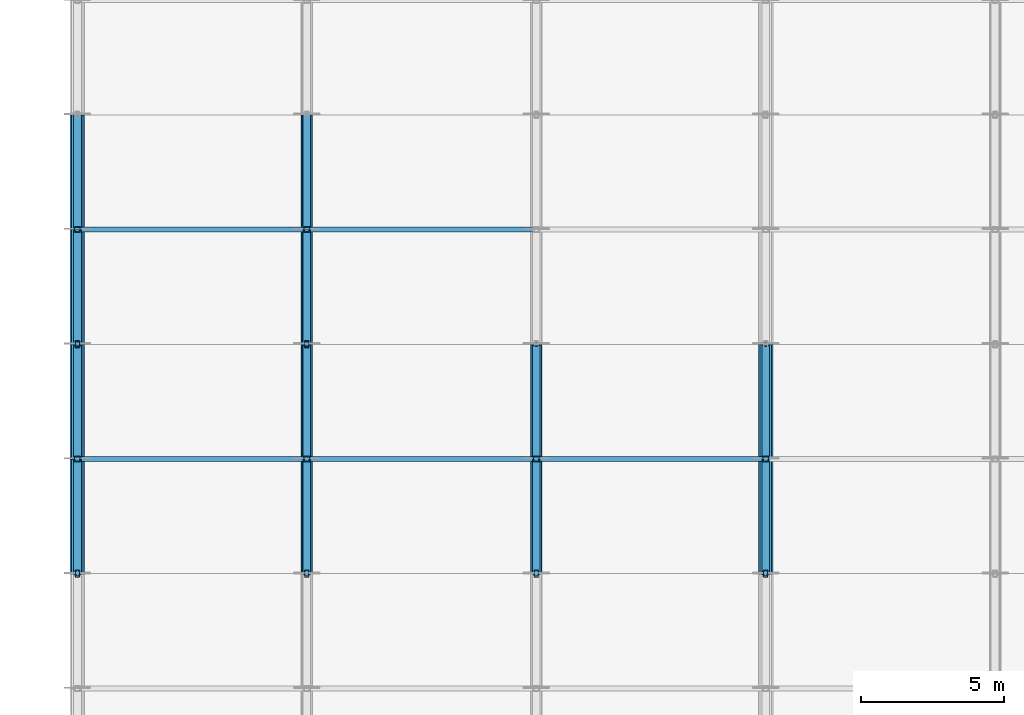
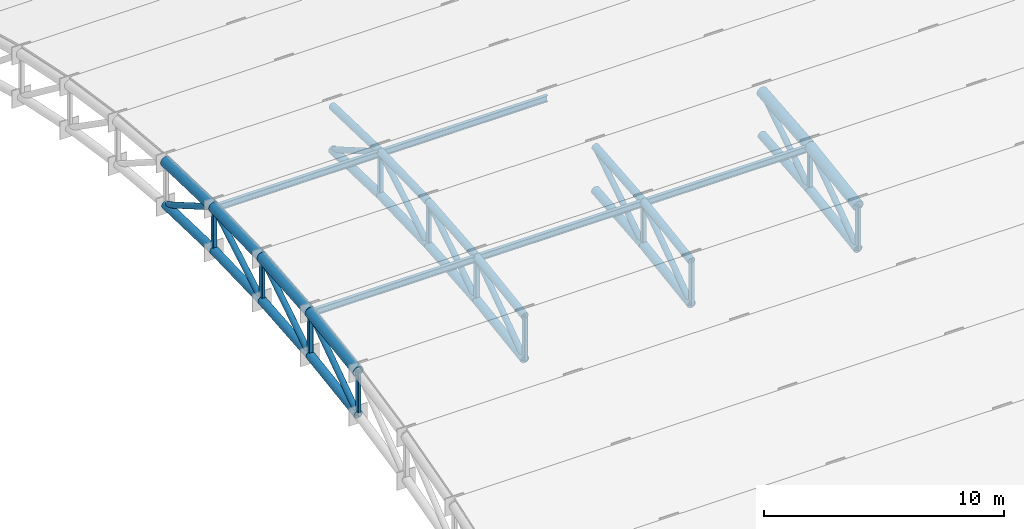
# One storey, part 9 of 98: 53 members.
"""IFC4 building model written with IfcOpenShell, lengths in metres."""

from ifc_helpers import new_model, si_unit, direction, frame, origin, origin_2d, place, context, subcontext, project, spatial, hollow_rectangle, hollow_circle, i_section, extrude, material, material_profile, profile_set, type_object, element, save


model = new_model("IFC4")

# Units and contexts
model_context = context("Model", 3, precision=1e-05, world=origin(), true_north=direction((0.0, 1.0)))
body_context = subcontext(model_context, "Body", "Model", "MODEL_VIEW")
ifc_project = project(units=[si_unit("LENGTHUNIT", "METRE"), si_unit("AREAUNIT", "SQUARE_METRE"), si_unit("VOLUMEUNIT", "CUBIC_METRE"), si_unit("PLANEANGLEUNIT", "RADIAN"), si_unit("MASSUNIT", "GRAM", prefix="KILO")], contexts=[model_context])

# Site, building, storey
site_placement = place(None, origin())
site = spatial("IfcSite", under=ifc_project, at=site_placement, CompositionType="ELEMENT")
building_placement = place(site_placement, origin())
building = spatial("IfcBuilding", under=site, at=building_placement, Name="Tlacozan Convention Centre", CompositionType="ELEMENT")
storey_placement = place(building_placement, frame((0.0, 0.0, 25.800048828125)))
storey = spatial("IfcBuildingStorey", under=building, at=storey_placement, Name="Roof", CompositionType="ELEMENT", Elevation=25.800048828125)

# Members
ifc_material_1 = material(Name="Steel ASTM A500 Grade C", Category="steel")
ifc_material_profile_1 = material_profile(ifc_material_1, hollow_circle(Radius=0.203125, WallThickness=0.015869140625, at=origin_2d()), Name="OC 406.4x15.9")
ifc_profile_set_1 = profile_set([ifc_material_profile_1], Name="Steel ASTM A500 Grade C")
member_type_1 = type_object("IfcMemberType", Name="Arch Bottom Chord OC 406.4x15.9", PredefinedType="CHORD", material=ifc_profile_set_1)
member_1_placement = place(storey_placement, frame((0.0, 82.0, -5.8671875), z_axis=(0.0, 0.98911804631, 0.147124064872), x_axis=(-1.0, 0.0, 0.0)))
element("IfcMember", 1, at=member_1_placement, inside=storey, type_object=member_type_1, Name="V2A Roof Truss 1 Bottom Chord 6", PredefinedType="CHORD", context=body_context, shape_type="SweptSolid", body=[
    extrude(hollow_circle(Radius=0.203125, WallThickness=0.015869140625, at=origin_2d()), origin(), (0.0, 0.0, 1.0), 4.0439453125),
])
member_2_placement = place(storey_placement, frame((0.0, 86.0, -5.272216796875), z_axis=(0.0, 0.996095959668, 0.088277058926), x_axis=(-1.0, 0.0, 0.0)))
element("IfcMember", 2, at=member_2_placement, inside=storey, type_object=member_type_1, Name="V2A Roof Truss 1 Bottom Chord 7", PredefinedType="CHORD", context=body_context, shape_type="SweptSolid", body=[
    extrude(hollow_circle(Radius=0.203125, WallThickness=0.015869140625, at=origin_2d()), origin(), (0.0, 0.0, 1.0), 4.015625),
])
for number, where, z_axis, x_axis, name in (
    (3, (0.0, 90.0, -4.917724609375), (0.0, 0.999567543518, 0.029406222899), (-1.0, 0.0, 0.0), "V2A Roof Truss 1 Bottom Chord 8"),
    (4, (0.0, 94.0, -4.800048828125), (0.0, 0.999567543518, -0.029406222899), (-1.0, 0.0, 0.0), "V2A Roof Truss 1 Bottom Chord 9"),
):
    element("IfcMember", number, at=place(storey_placement, frame(where, z_axis=z_axis, x_axis=x_axis)), inside=storey, type_object=member_type_1, Name=name, PredefinedType="CHORD", context=body_context, shape_type="SweptSolid", body=[
        extrude(hollow_circle(Radius=0.203125, WallThickness=0.015869140625, at=origin_2d()), origin(), (0.0, 0.0, 1.0), 4.001708984375),
    ])
member_3_placement = place(storey_placement, frame((8.0, 82.0, -5.8671875), z_axis=(0.0, 0.98911804631, 0.147124064872), x_axis=(-1.0, 0.0, 0.0)))
element("IfcMember", 5, at=member_3_placement, inside=storey, type_object=member_type_1, Name="V2A Roof Truss 2 Bottom Chord 6", PredefinedType="CHORD", context=body_context, shape_type="SweptSolid", body=[
    extrude(hollow_circle(Radius=0.203125, WallThickness=0.015869140625, at=origin_2d()), origin(), (0.0, 0.0, 1.0), 4.0439453125),
])
member_4_placement = place(storey_placement, frame((8.0, 86.0, -5.272216796875), z_axis=(0.0, 0.996095959668, 0.088277058926), x_axis=(-1.0, 0.0, 0.0)))
element("IfcMember", 6, at=member_4_placement, inside=storey, type_object=member_type_1, Name="V2A Roof Truss 2 Bottom Chord 7", PredefinedType="CHORD", context=body_context, shape_type="SweptSolid", body=[
    extrude(hollow_circle(Radius=0.203125, WallThickness=0.015869140625, at=origin_2d()), origin(), (0.0, 0.0, 1.0), 4.015625),
])
for number, where, z_axis, x_axis, name in (
    (7, (8.0, 90.0, -4.917724609375), (0.0, 0.999567543518, 0.029406222899), (-1.0, 0.0, 0.0), "V2A Roof Truss 2 Bottom Chord 8"),
    (8, (8.0, 94.0, -4.800048828125), (0.0, 0.999567543518, -0.029406222899), (-1.0, 0.0, 0.0), "V2A Roof Truss 2 Bottom Chord 9"),
):
    element("IfcMember", number, at=place(storey_placement, frame(where, z_axis=z_axis, x_axis=x_axis)), inside=storey, type_object=member_type_1, Name=name, PredefinedType="CHORD", context=body_context, shape_type="SweptSolid", body=[
        extrude(hollow_circle(Radius=0.203125, WallThickness=0.015869140625, at=origin_2d()), origin(), (0.0, 0.0, 1.0), 4.001708984375),
    ])
member_5_placement = place(storey_placement, frame((16.0, 82.0, -5.8671875), z_axis=(0.0, 0.98911804631, 0.147124064872), x_axis=(-1.0, 0.0, 0.0)))
element("IfcMember", 9, at=member_5_placement, inside=storey, type_object=member_type_1, Name="V2A Roof Truss 3 Bottom Chord 6", PredefinedType="CHORD", context=body_context, shape_type="SweptSolid", body=[
    extrude(hollow_circle(Radius=0.203125, WallThickness=0.015869140625, at=origin_2d()), origin(), (0.0, 0.0, 1.0), 4.0439453125),
])
member_6_placement = place(storey_placement, frame((16.0, 86.0, -5.272216796875), z_axis=(0.0, 0.996095959668, 0.088277058926), x_axis=(-1.0, 0.0, 0.0)))
element("IfcMember", 10, at=member_6_placement, inside=storey, type_object=member_type_1, Name="V2A Roof Truss 3 Bottom Chord 7", PredefinedType="CHORD", context=body_context, shape_type="SweptSolid", body=[
    extrude(hollow_circle(Radius=0.203125, WallThickness=0.015869140625, at=origin_2d()), origin(), (0.0, 0.0, 1.0), 4.015625),
])
member_7_placement = place(storey_placement, frame((24.0, 82.0, -5.8671875), z_axis=(0.0, 0.98911804631, 0.147124064872), x_axis=(-1.0, 0.0, 0.0)))
element("IfcMember", 11, at=member_7_placement, inside=storey, type_object=member_type_1, Name="V2A Roof Truss 4 Bottom Chord 6", PredefinedType="CHORD", context=body_context, shape_type="SweptSolid", body=[
    extrude(hollow_circle(Radius=0.203125, WallThickness=0.015869140625, at=origin_2d()), origin(), (0.0, 0.0, 1.0), 4.0439453125),
])
member_8_placement = place(storey_placement, frame((24.0, 86.0, -5.272216796875), z_axis=(0.0, 0.996095959668, 0.088277058926), x_axis=(-1.0, 0.0, 0.0)))
element("IfcMember", 12, at=member_8_placement, inside=storey, type_object=member_type_1, Name="V2A Roof Truss 4 Bottom Chord 7", PredefinedType="CHORD", context=body_context, shape_type="SweptSolid", body=[
    extrude(hollow_circle(Radius=0.203125, WallThickness=0.015869140625, at=origin_2d()), origin(), (0.0, 0.0, 1.0), 4.015625),
])
ifc_material_profile_2 = material_profile(ifc_material_1, hollow_circle(Radius=0.25390625, WallThickness=0.01904296875, at=origin_2d()), Name="OC 508.0x19.1")
ifc_profile_set_2 = profile_set([ifc_material_profile_2], Name="Steel ASTM A500 Grade C")
member_type_2 = type_object("IfcMemberType", Name="Arch Top Chord OC 508x19.1", PredefinedType="CHORD", material=ifc_profile_set_2)
member_9_placement = place(storey_placement, frame((0.0, 82.0, -3.667236328125), z_axis=(0.0, 0.98911804631, 0.147124064872), x_axis=(-1.0, 0.0, 0.0)))
element("IfcMember", 13, at=member_9_placement, inside=storey, type_object=member_type_2, Name="V2A Roof Truss 1 Top Chord 6", PredefinedType="CHORD", context=body_context, shape_type="SweptSolid", body=[
    extrude(hollow_circle(Radius=0.25390625, WallThickness=0.01904296875, at=origin_2d()), origin(), (0.0, 0.0, 1.0), 4.0439453125),
])
member_10_placement = place(storey_placement, frame((0.0, 86.0, -3.072265625), z_axis=(0.0, 0.996095959668, 0.088277058926), x_axis=(-1.0, 0.0, 0.0)))
element("IfcMember", 14, at=member_10_placement, inside=storey, type_object=member_type_2, Name="V2A Roof Truss 1 Top Chord 7", PredefinedType="CHORD", context=body_context, shape_type="SweptSolid", body=[
    extrude(hollow_circle(Radius=0.25390625, WallThickness=0.01904296875, at=origin_2d()), origin(), (0.0, 0.0, 1.0), 4.015625),
])
for number, where, z_axis, x_axis, name in (
    (15, (0.0, 90.0, -2.7177734375), (0.0, 0.999567543518, 0.029406222899), (-1.0, 0.0, 0.0), "V2A Roof Truss 1 Top Chord 8"),
    (16, (0.0, 94.0, -2.60009765625), (0.0, 0.999567543518, -0.029406222899), (-1.0, 0.0, 0.0), "V2A Roof Truss 1 Top Chord 9"),
):
    element("IfcMember", number, at=place(storey_placement, frame(where, z_axis=z_axis, x_axis=x_axis)), inside=storey, type_object=member_type_2, Name=name, PredefinedType="CHORD", context=body_context, shape_type="SweptSolid", body=[
        extrude(hollow_circle(Radius=0.25390625, WallThickness=0.01904296875, at=origin_2d()), origin(), (0.0, 0.0, 1.0), 4.001708984375),
    ])
member_11_placement = place(storey_placement, frame((24.0, 82.0, -3.667236328125), z_axis=(0.0, 0.98911804631, 0.147124064872), x_axis=(-1.0, 0.0, 0.0)))
element("IfcMember", 17, at=member_11_placement, inside=storey, type_object=member_type_2, Name="V2A Roof Truss 4 Top Chord 6", PredefinedType="CHORD", context=body_context, shape_type="SweptSolid", body=[
    extrude(hollow_circle(Radius=0.25390625, WallThickness=0.01904296875, at=origin_2d()), origin(), (0.0, 0.0, 1.0), 4.0439453125),
])
member_12_placement = place(storey_placement, frame((24.0, 86.0, -3.072265625), z_axis=(0.0, 0.996095959668, 0.088277058926), x_axis=(-1.0, 0.0, 0.0)))
element("IfcMember", 18, at=member_12_placement, inside=storey, type_object=member_type_2, Name="V2A Roof Truss 4 Top Chord 7", PredefinedType="CHORD", context=body_context, shape_type="SweptSolid", body=[
    extrude(hollow_circle(Radius=0.25390625, WallThickness=0.01904296875, at=origin_2d()), origin(), (0.0, 0.0, 1.0), 4.015625),
])
ifc_material_profile_3 = material_profile(ifc_material_1, hollow_circle(Radius=0.136474609375, WallThickness=0.0126953125, at=origin_2d()), Name="OC 273.1x12.7")
ifc_profile_set_3 = profile_set([ifc_material_profile_3], Name="Steel ASTM A500 Grade C")
member_type_3 = type_object("IfcMemberType", Name="Arch Web Diagonal OC 273.1x12.7", PredefinedType="BRACE", material=ifc_profile_set_3)
member_13_placement = place(storey_placement, frame((0.0, 82.0, -5.8671875), z_axis=(0.0, 0.819720523855, 0.572763705877), x_axis=(-1.0, 0.0, 0.0)))
element("IfcMember", 19, at=member_13_placement, inside=storey, type_object=member_type_3, Name="V2A Roof Truss 1 Web Diagonal 6", PredefinedType="BRACE", context=body_context, shape_type="SweptSolid", body=[
    extrude(hollow_circle(Radius=0.136474609375, WallThickness=0.0126953125, at=origin_2d()), origin(), (0.0, 0.0, 1.0), 4.879638671875),
])
member_14_placement = place(storey_placement, frame((0.0, 86.0, -5.272216796875), z_axis=(0.0, 0.842802563321, 0.538222852785), x_axis=(-1.0, 0.0, 0.0)))
element("IfcMember", 20, at=member_14_placement, inside=storey, type_object=member_type_3, Name="V2A Roof Truss 1 Web Diagonal 7", PredefinedType="BRACE", context=body_context, shape_type="SweptSolid", body=[
    extrude(hollow_circle(Radius=0.136474609375, WallThickness=0.0126953125, at=origin_2d()), origin(), (0.0, 0.0, 1.0), 4.74609375),
])
for number, where, z_axis, x_axis, name in (
    (21, (0.0, 90.0, -4.917724609375), (0.0, 0.865253886656, 0.501333932252), (-1.0, 0.0, 0.0), "V2A Roof Truss 1 Web Diagonal 8"),
    (22, (0.0, 94.0, -2.60009765625), (0.0, 0.865253886656, -0.501333932252), (-1.0, 0.0, 0.0), "V2A Roof Truss 1 Web Diagonal 9"),
):
    element("IfcMember", number, at=place(storey_placement, frame(where, z_axis=z_axis, x_axis=x_axis)), inside=storey, type_object=member_type_3, Name=name, PredefinedType="BRACE", context=body_context, shape_type="SweptSolid", body=[
        extrude(hollow_circle(Radius=0.136474609375, WallThickness=0.0126953125, at=origin_2d()), origin(), (0.0, 0.0, 1.0), 4.622802734375),
    ])
member_15_placement = place(storey_placement, frame((8.0, 82.0, -5.8671875), z_axis=(0.0, 0.819720523855, 0.572763705877), x_axis=(-1.0, 0.0, 0.0)))
element("IfcMember", 23, at=member_15_placement, inside=storey, type_object=member_type_3, Name="V2A Roof Truss 2 Web Diagonal 6", PredefinedType="BRACE", context=body_context, shape_type="SweptSolid", body=[
    extrude(hollow_circle(Radius=0.136474609375, WallThickness=0.0126953125, at=origin_2d()), origin(), (0.0, 0.0, 1.0), 4.879638671875),
])
member_16_placement = place(storey_placement, frame((8.0, 86.0, -5.272216796875), z_axis=(0.0, 0.842802563321, 0.538222852785), x_axis=(-1.0, 0.0, 0.0)))
element("IfcMember", 24, at=member_16_placement, inside=storey, type_object=member_type_3, Name="V2A Roof Truss 2 Web Diagonal 7", PredefinedType="BRACE", context=body_context, shape_type="SweptSolid", body=[
    extrude(hollow_circle(Radius=0.136474609375, WallThickness=0.0126953125, at=origin_2d()), origin(), (0.0, 0.0, 1.0), 4.74609375),
])
for number, where, z_axis, x_axis, name in (
    (25, (8.0, 90.0, -4.917724609375), (0.0, 0.865253886656, 0.501333932252), (-1.0, 0.0, 0.0), "V2A Roof Truss 2 Web Diagonal 8"),
    (26, (8.0, 94.0, -2.60009765625), (0.0, 0.865253886656, -0.501333932252), (-1.0, 0.0, 0.0), "V2A Roof Truss 2 Web Diagonal 9"),
):
    element("IfcMember", number, at=place(storey_placement, frame(where, z_axis=z_axis, x_axis=x_axis)), inside=storey, type_object=member_type_3, Name=name, PredefinedType="BRACE", context=body_context, shape_type="SweptSolid", body=[
        extrude(hollow_circle(Radius=0.136474609375, WallThickness=0.0126953125, at=origin_2d()), origin(), (0.0, 0.0, 1.0), 4.622802734375),
    ])
member_17_placement = place(storey_placement, frame((16.0, 82.0, -5.8671875), z_axis=(0.0, 0.819720523855, 0.572763705877), x_axis=(-1.0, 0.0, 0.0)))
element("IfcMember", 27, at=member_17_placement, inside=storey, type_object=member_type_3, Name="V2A Roof Truss 3 Web Diagonal 6", PredefinedType="BRACE", context=body_context, shape_type="SweptSolid", body=[
    extrude(hollow_circle(Radius=0.136474609375, WallThickness=0.0126953125, at=origin_2d()), origin(), (0.0, 0.0, 1.0), 4.879638671875),
])
member_18_placement = place(storey_placement, frame((16.0, 86.0, -5.272216796875), z_axis=(0.0, 0.842802563321, 0.538222852785), x_axis=(-1.0, 0.0, 0.0)))
element("IfcMember", 28, at=member_18_placement, inside=storey, type_object=member_type_3, Name="V2A Roof Truss 3 Web Diagonal 7", PredefinedType="BRACE", context=body_context, shape_type="SweptSolid", body=[
    extrude(hollow_circle(Radius=0.136474609375, WallThickness=0.0126953125, at=origin_2d()), origin(), (0.0, 0.0, 1.0), 4.74609375),
])
member_19_placement = place(storey_placement, frame((24.0, 82.0, -5.8671875), z_axis=(0.0, 0.819720523855, 0.572763705877), x_axis=(-1.0, 0.0, 0.0)))
element("IfcMember", 29, at=member_19_placement, inside=storey, type_object=member_type_3, Name="V2A Roof Truss 4 Web Diagonal 6", PredefinedType="BRACE", context=body_context, shape_type="SweptSolid", body=[
    extrude(hollow_circle(Radius=0.136474609375, WallThickness=0.0126953125, at=origin_2d()), origin(), (0.0, 0.0, 1.0), 4.879638671875),
])
member_20_placement = place(storey_placement, frame((24.0, 86.0, -5.272216796875), z_axis=(0.0, 0.842802563321, 0.538222852785), x_axis=(-1.0, 0.0, 0.0)))
element("IfcMember", 30, at=member_20_placement, inside=storey, type_object=member_type_3, Name="V2A Roof Truss 4 Web Diagonal 7", PredefinedType="BRACE", context=body_context, shape_type="SweptSolid", body=[
    extrude(hollow_circle(Radius=0.136474609375, WallThickness=0.0126953125, at=origin_2d()), origin(), (0.0, 0.0, 1.0), 4.74609375),
])
ifc_material_profile_4 = material_profile(ifc_material_1, hollow_rectangle(XDim=0.203125, YDim=0.203125, WallThickness=0.0126953125, InnerFilletRadius=0.0126953125, OuterFilletRadius=0.02490234375, at=origin_2d()), Name="OR 203x203x12.7")
ifc_profile_set_4 = profile_set([ifc_material_profile_4], Name="Steel ASTM A500 Grade C")
member_type_4 = type_object("IfcMemberType", Name="Arch Web Strut OR 203x203x12.7", PredefinedType="STRUT", material=ifc_profile_set_4)
for number, where, z_axis, x_axis, name in (
    (31, (0.0, 86.0, -5.272216796875), (0.0, 0.0, 1.0), (1.0, 0.0, 0.0), "V2A Roof Truss 1 Vertical Strut 7"),
    (32, (0.0, 94.0, -4.800048828125), (0.0, 0.0, 1.0), (1.0, 0.0, 0.0), "V2A Roof Truss 1 Vertical Strut 9"),
    (33, (8.0, 86.0, -5.272216796875), (0.0, 0.0, 1.0), (1.0, 0.0, 0.0), "V2A Roof Truss 2 Vertical Strut 7"),
    (34, (8.0, 94.0, -4.800048828125), (0.0, 0.0, 1.0), (1.0, 0.0, 0.0), "V2A Roof Truss 2 Vertical Strut 9"),
    (35, (16.0, 86.0, -5.272216796875), (0.0, 0.0, 1.0), (1.0, 0.0, 0.0), "V2A Roof Truss 3 Vertical Strut 7"),
    (36, (24.0, 86.0, -5.272216796875), (0.0, 0.0, 1.0), (1.0, 0.0, 0.0), "V2A Roof Truss 4 Vertical Strut 7"),
):
    element("IfcMember", number, at=place(storey_placement, frame(where, z_axis=z_axis, x_axis=x_axis)), inside=storey, type_object=member_type_4, Name=name, PredefinedType="STRUT", context=body_context, shape_type="SweptSolid", body=[
        extrude(hollow_rectangle(XDim=0.203125, YDim=0.203125, WallThickness=0.0126953125, InnerFilletRadius=0.0126953125, OuterFilletRadius=0.02490234375, at=origin_2d()), origin(), (0.0, 0.0, 1.0), 2.199951171875),
    ])
ifc_material_2 = material(Name="Steel ASTM A992 Grade 50", Category="steel")
ifc_material_profile_5 = material_profile(ifc_material_2, i_section(OverallWidth=0.1669921875, OverallDepth=0.31689453125, WebThickness=0.007568359375, FlangeThickness=0.01318359375, FilletRadius=0.010009765625, at=origin_2d()), Name="IR 305x52.2")
ifc_profile_set_5 = profile_set([ifc_material_profile_5], Name="Steel ASTM A992 Grade 50")
member_type_5 = type_object("IfcMemberType", Name="Roof Purlin IR 305x52.2", PredefinedType="PURLIN", material=ifc_profile_set_5)
for number, where, z_axis, x_axis, name in (
    (37, (0.0, 86.0, -3.13720703125), (1.0, 0.0, 0.0), (0.0, 1.0, 0.0), "V2A Roof Truss Purlin 1.7"),
    (38, (0.0, 94.0, -2.6650390625), (1.0, 0.0, 0.0), (0.0, 1.0, 0.0), "V2A Roof Truss Purlin 1.9"),
    (39, (8.0, 86.0, -3.13720703125), (1.0, 0.0, 0.0), (0.0, 1.0, 0.0), "V2A Roof Truss Purlin 2.7"),
    (40, (8.0, 94.0, -2.6650390625), (1.0, 0.0, 0.0), (0.0, 1.0, 0.0), "V2A Roof Truss Purlin 2.9"),
    (41, (16.0, 86.0, -3.13720703125), (1.0, 0.0, 0.0), (0.0, 1.0, 0.0), "V2A Roof Truss Purlin 3.7"),
):
    element("IfcMember", number, at=place(storey_placement, frame(where, z_axis=z_axis, x_axis=x_axis)), inside=storey, type_object=member_type_5, Name=name, PredefinedType="PURLIN", context=body_context, shape_type="SweptSolid", body=[
        extrude(i_section(OverallWidth=0.1669921875, OverallDepth=0.31689453125, WebThickness=0.007568359375, FlangeThickness=0.01318359375, FilletRadius=0.010009765625, at=origin_2d()), origin(), (0.0, 0.0, 1.0), 8.0),
    ])
ifc_material_profile_6 = material_profile(ifc_material_1, hollow_circle(Radius=0.177734375, WallThickness=0.015869140625, at=origin_2d()), Name="OC 355.6x15.9")
ifc_profile_set_6 = profile_set([ifc_material_profile_6], Name="Steel ASTM A500 Grade C")
member_type_6 = type_object("IfcMemberType", Name="Secondary Arch Chord OC 355.6x15.9", PredefinedType="CHORD", material=ifc_profile_set_6)
member_21_placement = place(storey_placement, frame((8.0, 82.0, -3.667236328125), z_axis=(0.0, 0.98911804631, 0.147124064872), x_axis=(-1.0, 0.0, 0.0)))
element("IfcMember", 42, at=member_21_placement, inside=storey, type_object=member_type_6, Name="V2A Roof Truss 2 Top Chord 6", PredefinedType="CHORD", context=body_context, shape_type="SweptSolid", body=[
    extrude(hollow_circle(Radius=0.177734375, WallThickness=0.015869140625, at=origin_2d()), origin(), (0.0, 0.0, 1.0), 4.0439453125),
])
member_22_placement = place(storey_placement, frame((8.0, 86.0, -3.072265625), z_axis=(0.0, 0.996095959668, 0.088277058926), x_axis=(-1.0, 0.0, 0.0)))
element("IfcMember", 43, at=member_22_placement, inside=storey, type_object=member_type_6, Name="V2A Roof Truss 2 Top Chord 7", PredefinedType="CHORD", context=body_context, shape_type="SweptSolid", body=[
    extrude(hollow_circle(Radius=0.177734375, WallThickness=0.015869140625, at=origin_2d()), origin(), (0.0, 0.0, 1.0), 4.015625),
])
for number, where, z_axis, x_axis, name in (
    (44, (8.0, 90.0, -2.7177734375), (0.0, 0.999567543518, 0.029406222899), (-1.0, 0.0, 0.0), "V2A Roof Truss 2 Top Chord 8"),
    (45, (8.0, 94.0, -2.60009765625), (0.0, 0.999567543518, -0.029406222899), (-1.0, 0.0, 0.0), "V2A Roof Truss 2 Top Chord 9"),
):
    element("IfcMember", number, at=place(storey_placement, frame(where, z_axis=z_axis, x_axis=x_axis)), inside=storey, type_object=member_type_6, Name=name, PredefinedType="CHORD", context=body_context, shape_type="SweptSolid", body=[
        extrude(hollow_circle(Radius=0.177734375, WallThickness=0.015869140625, at=origin_2d()), origin(), (0.0, 0.0, 1.0), 4.001708984375),
    ])
member_23_placement = place(storey_placement, frame((16.0, 82.0, -3.667236328125), z_axis=(0.0, 0.98911804631, 0.147124064872), x_axis=(-1.0, 0.0, 0.0)))
element("IfcMember", 46, at=member_23_placement, inside=storey, type_object=member_type_6, Name="V2A Roof Truss 3 Top Chord 6", PredefinedType="CHORD", context=body_context, shape_type="SweptSolid", body=[
    extrude(hollow_circle(Radius=0.177734375, WallThickness=0.015869140625, at=origin_2d()), origin(), (0.0, 0.0, 1.0), 4.0439453125),
])
member_24_placement = place(storey_placement, frame((16.0, 86.0, -3.072265625), z_axis=(0.0, 0.996095959668, 0.088277058926), x_axis=(-1.0, 0.0, 0.0)))
element("IfcMember", 47, at=member_24_placement, inside=storey, type_object=member_type_6, Name="V2A Roof Truss 3 Top Chord 7", PredefinedType="CHORD", context=body_context, shape_type="SweptSolid", body=[
    extrude(hollow_circle(Radius=0.177734375, WallThickness=0.015869140625, at=origin_2d()), origin(), (0.0, 0.0, 1.0), 4.015625),
])
ifc_material_profile_7 = material_profile(ifc_material_1, hollow_rectangle(XDim=0.15234375, YDim=0.25390625, WallThickness=0.0126953125, InnerFilletRadius=0.0126953125, OuterFilletRadius=0.02490234375, at=origin_2d()), Name="OR 254x152x12.7")
ifc_profile_set_7 = profile_set([ifc_material_profile_7], Name="Steel ASTM A500 Grade C")
member_type_7 = type_object("IfcMemberType", Name="Truss Secondary Strut OR 254x152x12.7", PredefinedType="STRUT", material=ifc_profile_set_7)
for number, where, z_axis, x_axis, name in (
    (48, (0.0, 82.0, -5.8671875), (0.0, 0.0, 1.0), (1.0, 0.0, 0.0), "V2A Roof Truss 1 Vertical Strut 6"),
    (49, (0.0, 90.0, -4.917724609375), (0.0, 0.0, 1.0), (1.0, 0.0, 0.0), "V2A Roof Truss 1 Vertical Strut 8"),
    (50, (8.0, 82.0, -5.8671875), (0.0, 0.0, 1.0), (1.0, 0.0, 0.0), "V2A Roof Truss 2 Vertical Strut 6"),
    (51, (8.0, 90.0, -4.917724609375), (0.0, 0.0, 1.0), (1.0, 0.0, 0.0), "V2A Roof Truss 2 Vertical Strut 8"),
    (52, (16.0, 82.0, -5.8671875), (0.0, 0.0, 1.0), (1.0, 0.0, 0.0), "V2A Roof Truss 3 Vertical Strut 6"),
    (53, (24.0, 82.0, -5.8671875), (0.0, 0.0, 1.0), (1.0, 0.0, 0.0), "V2A Roof Truss 4 Vertical Strut 6"),
):
    element("IfcMember", number, at=place(storey_placement, frame(where, z_axis=z_axis, x_axis=x_axis)), inside=storey, type_object=member_type_7, Name=name, PredefinedType="STRUT", context=body_context, shape_type="SweptSolid", body=[
        extrude(hollow_rectangle(XDim=0.15234375, YDim=0.25390625, WallThickness=0.0126953125, InnerFilletRadius=0.0126953125, OuterFilletRadius=0.02490234375, at=origin_2d()), origin(), (0.0, 0.0, 1.0), 2.199951171875),
    ])

save(model, "model.ifc")
